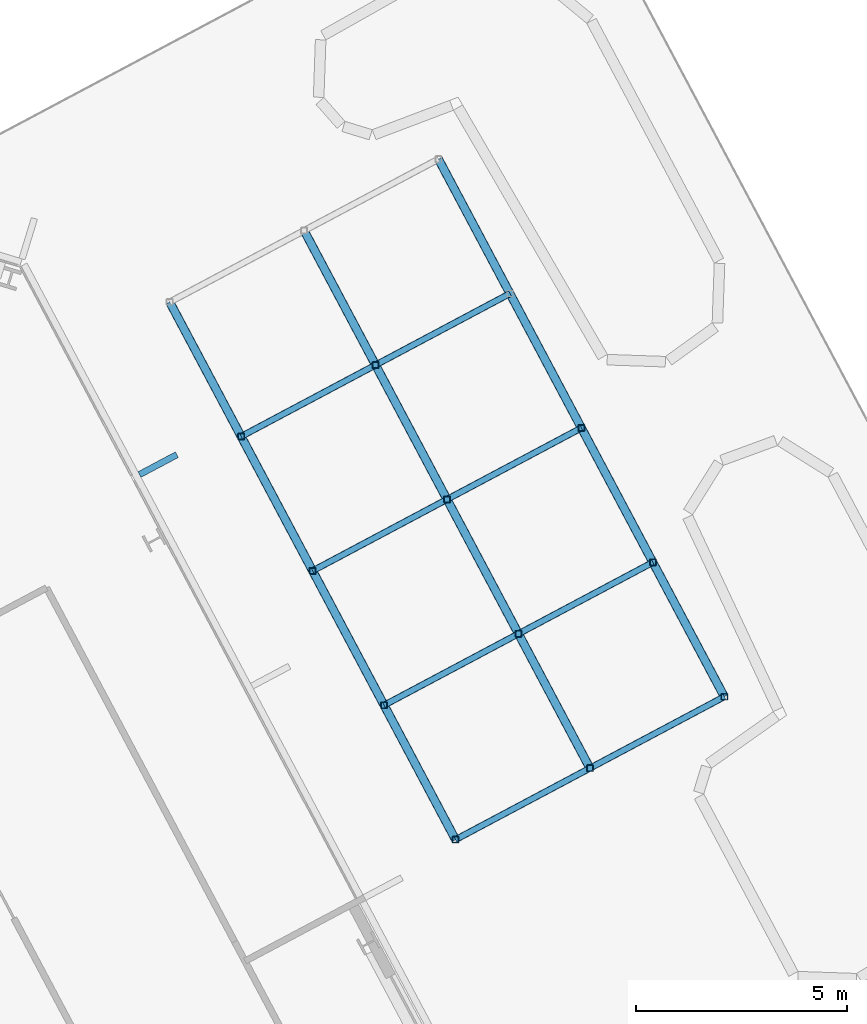
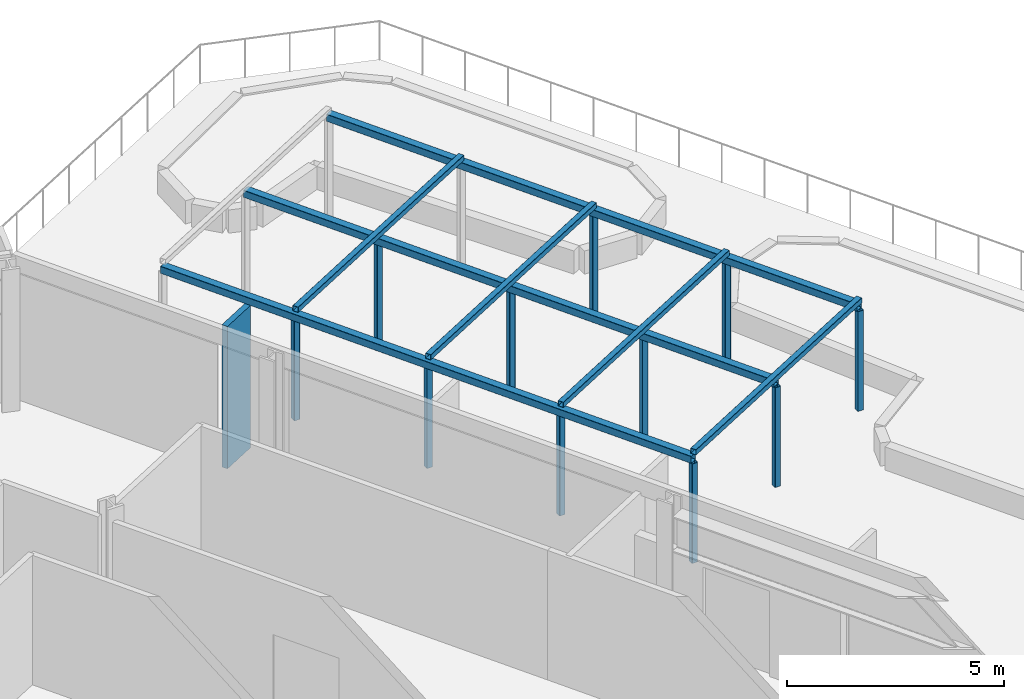
# One storey, part 11 of 34: 19 members, 1 element without a shape of its own.
"""IFC4 building model written with IfcOpenShell, lengths in metres."""

from ifc_helpers import new_model, si_unit, direction, frame, origin, origin_2d, place, context, subcontext, project, spatial, rectangle, hollow_rectangle, extrude, material, layer, layer_set, material_profile, profile_set, type_object, element, aggregate, save


model = new_model("IFC4")

# Units and contexts
model_context = context("Model", 3, precision=1e-05, world=origin(), true_north=direction((0.0, 1.0)))
body_context = subcontext(model_context, "Body", "Model", "MODEL_VIEW")
ifc_project = project(units=[si_unit("LENGTHUNIT", "METRE"), si_unit("AREAUNIT", "SQUARE_METRE"), si_unit("VOLUMEUNIT", "CUBIC_METRE"), si_unit("PLANEANGLEUNIT", "RADIAN"), si_unit("MASSUNIT", "GRAM", prefix="KILO")], contexts=[model_context])

# Site, building, storey
site_placement = place(None, origin())
site = spatial("IfcSite", under=ifc_project, at=site_placement, CompositionType="ELEMENT")
building_placement = place(site_placement, origin())
building = spatial("IfcBuilding", under=site, at=building_placement, Name="Cormorant Relay Tower", CompositionType="ELEMENT")
storey_placement = place(building_placement, frame((0.0, 0.0, 118.199951171875)))
storey = spatial("IfcBuildingStorey", under=building, at=storey_placement, Name="L23", CompositionType="ELEMENT", Elevation=118.199951171875)

# Curtain wall, member
ifc_material_1 = material(Name="Aluminium 6063-T6 anodised bronze", Category="aluminium")
ifc_layer = layer(ifc_material_1, 0.199951171875)
ifc_layer_set = layer_set([ifc_layer], Name="CW1 unitised bronze curtain wall with vertical fins")
curtain_wall_type = type_object("IfcCurtainWallType", Name="CW1 unitised bronze curtain wall with vertical fins", PredefinedType="NOTDEFINED", material=ifc_layer_set)
curtain_wall_placement = place(storey_placement, origin())
curtain_wall = element("IfcCurtainWall", 1, at=curtain_wall_placement, inside=storey, type_object=curtain_wall_type, Name="CW1 curtain wall 6", PredefinedType="NOTDEFINED")
ifc_material_2 = material(Name="Aluminium 6063-T6 anodised bronze", Category="aluminium")
ifc_material_profile_1 = material_profile(ifc_material_2, rectangle(XDim=0.14990234375, YDim=1.0, at=origin_2d()), Name="AL 150x1000")
ifc_profile_set_1 = profile_set([ifc_material_profile_1], Name="Aluminium 6063-T6 anodised bronze")
member_type_1 = type_object("IfcMemberType", Name="CW1 bronze fin mullion 150 x 1000", PredefinedType="MULLION", material=ifc_profile_set_1)
member_1_placement = place(storey_placement, frame((44.27294921875, 37.5087890625, 0.0), z_axis=(0.0, 0.0, 1.0), x_axis=(-0.469471562786, 0.882947592859, 0.0)))
member_1 = element("IfcMember", 2, at=member_1_placement, type_object=member_type_1, Name="CW1 fin 6.6", PredefinedType="MULLION", context=body_context, shape_type="SweptSolid", body=[
    extrude(rectangle(XDim=0.14990234375, YDim=1.0, at=origin_2d()), origin(), (0.0, 0.0, 1.0), 4.0),
])
aggregate(curtain_wall, [member_1])

# Members
ifc_material_3 = material(Name="Steel ASTM A500 Grade C (Fy 345 MPa)", Category="steel")
ifc_material_profile_2 = material_profile(ifc_material_3, hollow_rectangle(XDim=0.203125, YDim=0.203125, WallThickness=0.0087890625, InnerFilletRadius=0.00439453125, OuterFilletRadius=0.01318359375, at=origin_2d()), Name="HSS203x203x9")
ifc_profile_set_2 = profile_set([ifc_material_profile_2], Name="Steel ASTM A500 Grade C (Fy 345 MPa)")
member_type_2 = type_object("IfcMemberType", Name="Pergola beam HSS203x203x9", PredefinedType="RAFTER", material=ifc_profile_set_2)
member_2_placement = place(storey_placement, frame((51.306396484375, 28.63916015625, 2.901611328125), z_axis=(-0.469479971955, 0.882943121573, 0.0), x_axis=(-0.882943121573, -0.469479971955, 0.0)))
element("IfcMember", 3, at=member_2_placement, inside=storey, type_object=member_type_2, Name="Pergola beam", PredefinedType="RAFTER", context=body_context, shape_type="SweptSolid", body=[
    extrude(hollow_rectangle(XDim=0.203125, YDim=0.203125, WallThickness=0.0087890625, InnerFilletRadius=0.00439453125, OuterFilletRadius=0.01318359375, at=origin_2d()), origin(), (0.0, 0.0, 1.0), 14.39990234375),
])
for number, where, z_axis, x_axis, name in (
    (4, (54.48486328125, 30.3291015625, 2.901611328125), (-0.469459726696, 0.882953886118, 0.0), (-0.882953886118, -0.469459726696, 0.0), "Pergola beam"),
    (5, (57.66357421875, 32.019287109375, 2.901611328125), (-0.469472944102, 0.882946858398, 0.0), (-0.882946858398, -0.469472944102, 0.0), "Pergola beam"),
):
    element("IfcMember", number, at=place(storey_placement, frame(where, z_axis=z_axis, x_axis=x_axis)), inside=storey, type_object=member_type_2, Name=name, PredefinedType="RAFTER", context=body_context, shape_type="SweptSolid", body=[
        extrude(hollow_rectangle(XDim=0.203125, YDim=0.203125, WallThickness=0.0087890625, InnerFilletRadius=0.00439453125, OuterFilletRadius=0.01318359375, at=origin_2d()), origin(), (0.0, 0.0, 1.0), 14.400146484375),
    ])
ifc_material_4 = material(Name="Steel ASTM A500 Grade C (Fy 345 MPa)", Category="steel")
ifc_material_profile_3 = material_profile(ifc_material_4, hollow_rectangle(XDim=0.15234375, YDim=0.15234375, WallThickness=0.0087890625, InnerFilletRadius=0.00439453125, OuterFilletRadius=0.01318359375, at=origin_2d()), Name="HSS152x152x9")
ifc_profile_set_3 = profile_set([ifc_material_profile_3], Name="Steel ASTM A500 Grade C (Fy 345 MPa)")
member_type_3 = type_object("IfcMemberType", Name="Pergola post HSS152x152x9", PredefinedType="POST", material=ifc_profile_set_3)
for number, where, z_axis, x_axis, name in (
    (6, (51.306396484375, 28.63916015625, 0.0), (0.0, 0.0, 1.0), (1.0, 0.0, 0.0), "Pergola post"),
    (7, (49.6162109375, 31.817626953125, 0.0), (0.0, 0.0, 1.0), (1.0, 0.0, 0.0), "Pergola post"),
    (8, (47.926025390625, 34.996337890625, 0.0), (0.0, 0.0, 1.0), (1.0, 0.0, 0.0), "Pergola post"),
    (9, (46.236083984375, 38.1748046875, 0.0), (0.0, 0.0, 1.0), (1.0, 0.0, 0.0), "Pergola post"),
    (10, (54.48486328125, 30.3291015625, 0.0), (0.0, 0.0, 1.0), (1.0, 0.0, 0.0), "Pergola post"),
    (11, (52.794921875, 33.5078125, 0.0), (0.0, 0.0, 1.0), (1.0, 0.0, 0.0), "Pergola post"),
    (12, (51.104736328125, 36.686279296875, 0.0), (0.0, 0.0, 1.0), (1.0, 0.0, 0.0), "Pergola post"),
    (13, (49.41455078125, 39.864990234375, 0.0), (0.0, 0.0, 1.0), (1.0, 0.0, 0.0), "Pergola post"),
    (14, (57.66357421875, 32.019287109375, 0.0), (0.0, 0.0, 1.0), (1.0, 0.0, 0.0), "Pergola post"),
    (15, (55.973388671875, 35.197998046875, 0.0), (0.0, 0.0, 1.0), (1.0, 0.0, 0.0), "Pergola post"),
    (16, (54.283203125, 38.37646484375, 0.0), (0.0, 0.0, 1.0), (1.0, 0.0, 0.0), "Pergola post"),
):
    element("IfcMember", number, at=place(storey_placement, frame(where, z_axis=z_axis, x_axis=x_axis)), inside=storey, type_object=member_type_3, Name=name, PredefinedType="POST", context=body_context, shape_type="SweptSolid", body=[
        extrude(hollow_rectangle(XDim=0.15234375, YDim=0.15234375, WallThickness=0.0087890625, InnerFilletRadius=0.00439453125, OuterFilletRadius=0.01318359375, at=origin_2d()), origin(), (0.0, 0.0, 1.0), 2.800048828125),
    ])
ifc_material_5 = material(Name="Steel ASTM A500 Grade C (Fy 345 MPa)", Category="steel")
ifc_material_profile_4 = material_profile(ifc_material_5, hollow_rectangle(XDim=0.15234375, YDim=0.15234375, WallThickness=0.0087890625, InnerFilletRadius=0.00439453125, OuterFilletRadius=0.01318359375, at=origin_2d()), Name="HSS152x152x9")
ifc_profile_set_4 = profile_set([ifc_material_profile_4], Name="Steel ASTM A500 Grade C (Fy 345 MPa)")
member_type_4 = type_object("IfcMemberType", Name="Pergola rafter HSS152x152x9", PredefinedType="RAFTER", material=ifc_profile_set_4)
for number, where, z_axis, x_axis, name in (
    (17, (51.306396484375, 28.63916015625, 3.079345703125), (0.882950149473, 0.469466754463, 0.0), (-0.469466754463, 0.882950149473, 0.0), "Pergola rafter"),
    (18, (49.6162109375, 31.817626953125, 3.079345703125), (0.882936093587, 0.469493189132, 0.0), (-0.469493189132, 0.882936093587, 0.0), "Pergola rafter"),
    (19, (47.926025390625, 34.996337890625, 3.079345703125), (0.882950149473, 0.469466754463, 0.0), (-0.469466754463, 0.882950149473, 0.0), "Pergola rafter"),
    (20, (46.236083984375, 38.1748046875, 3.079345703125), (0.882936093587, 0.469493189132, 0.0), (-0.469493189132, 0.882936093587, 0.0), "Pergola rafter"),
):
    element("IfcMember", number, at=place(storey_placement, frame(where, z_axis=z_axis, x_axis=x_axis)), inside=storey, type_object=member_type_4, Name=name, PredefinedType="RAFTER", context=body_context, shape_type="SweptSolid", body=[
        extrude(hollow_rectangle(XDim=0.15234375, YDim=0.15234375, WallThickness=0.0087890625, InnerFilletRadius=0.00439453125, OuterFilletRadius=0.01318359375, at=origin_2d()), origin(), (0.0, 0.0, 1.0), 7.199951171875),
    ])

save(model, "model.ifc")
